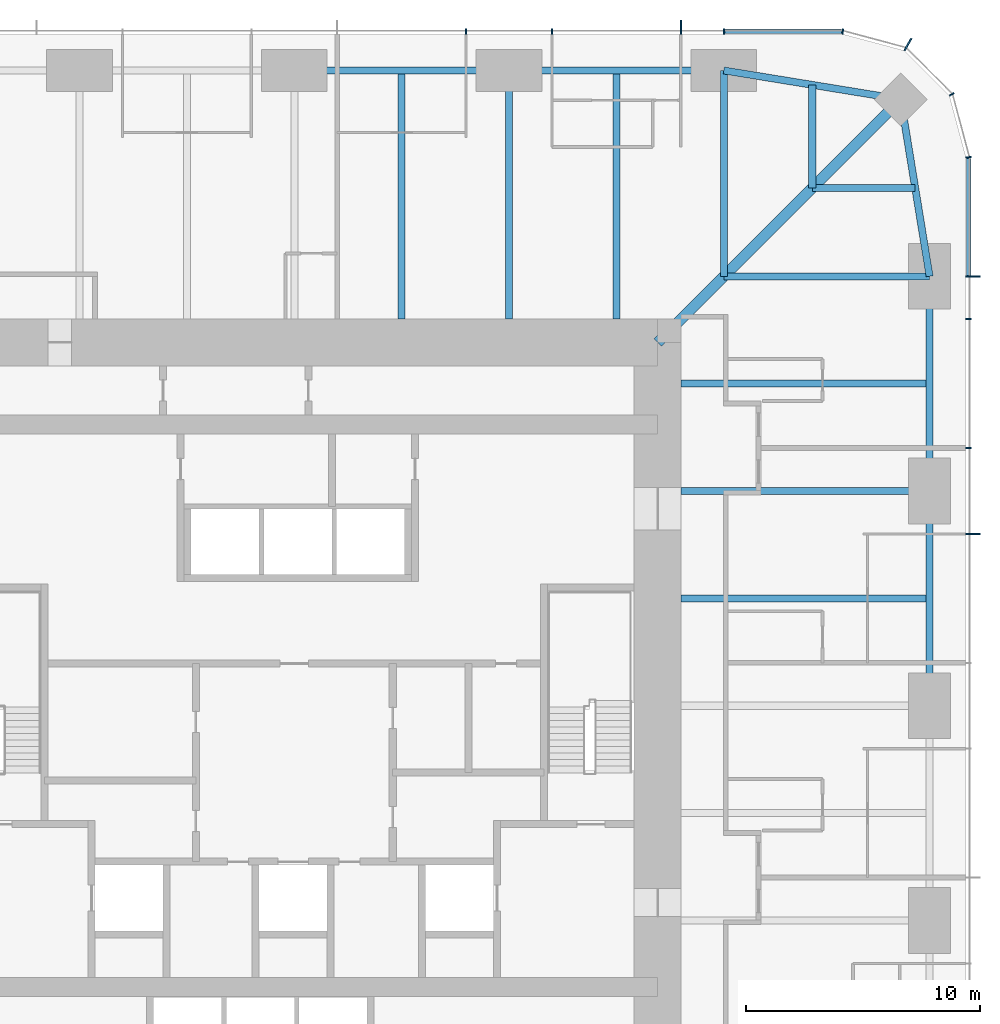
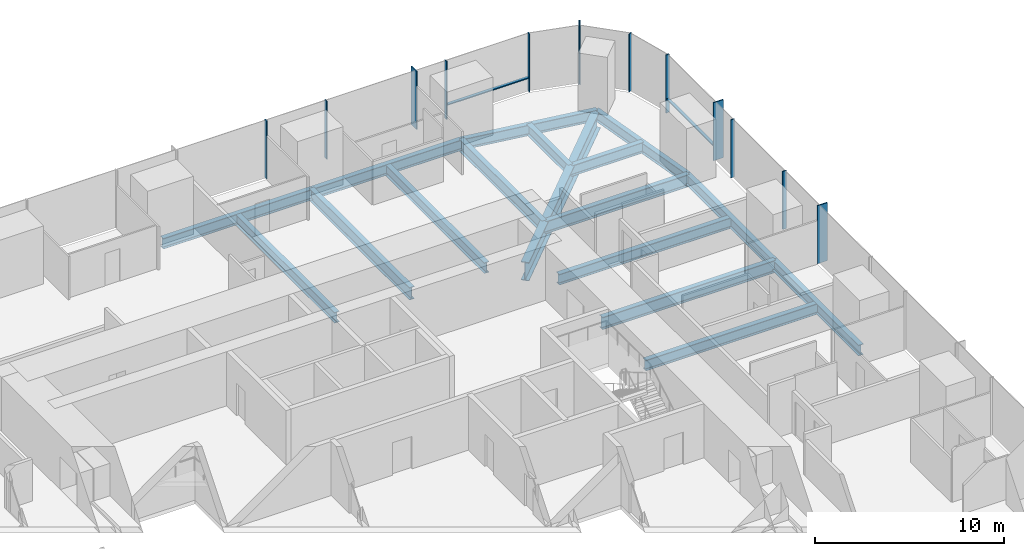
# One storey, part 6 of 13: 17 beams, 14 members, 3 elements without a shape of their own.
"""IFC4 building model written with IfcOpenShell, lengths in metres."""

from ifc_helpers import new_model, si_unit, direction, frame, origin, origin_2d, place, context, subcontext, project, spatial, rectangle, i_section, extrude, material, material_profile, profile_set, type_object, element, aggregate, save


model = new_model("IFC4")

# Units and contexts
model_context = context("Model", 3, precision=1e-05, world=origin(), true_north=direction((0.0, 1.0)))
body_context = subcontext(model_context, "Body", "Model", "MODEL_VIEW")
ifc_project = project(units=[si_unit("LENGTHUNIT", "METRE"), si_unit("AREAUNIT", "SQUARE_METRE"), si_unit("VOLUMEUNIT", "CUBIC_METRE"), si_unit("PLANEANGLEUNIT", "RADIAN"), si_unit("MASSUNIT", "GRAM", prefix="KILO")], contexts=[model_context])

# Site, building, storey
site_placement = place(None, origin())
site = spatial("IfcSite", under=ifc_project, at=site_placement, CompositionType="ELEMENT")
building_placement = place(site_placement, origin())
building = spatial("IfcBuilding", under=site, at=building_placement, Name="Khuree Lantern Residences", CompositionType="ELEMENT")
storey_placement = place(building_placement, frame((0.0, 0.0, 141.0)))
storey = spatial("IfcBuildingStorey", under=building, at=storey_placement, Name="L35", CompositionType="ELEMENT", Elevation=141.0)

# Beams
ifc_material_1 = material(Name="Steel S355", Category="steel")
ifc_material_profile_1 = material_profile(ifc_material_1, i_section(OverallWidth=0.300048828125, OverallDepth=0.68994140625, WebThickness=0.014404296875, FlangeThickness=0.027099609375, FilletRadius=0.027099609375, at=origin_2d()), Name="HE 700 A")
ifc_profile_set_1 = profile_set([ifc_material_profile_1], Name="Steel S355")
beam_type_1 = type_object("IfcBeamType", Name="B-23 SECONDARY BEAM HE 700 A", PredefinedType="BEAM", material=ifc_profile_set_1)
for number, where, z_axis, x_axis, name in (
    (1, (4.580078125, 27.10009765625, -0.594970703125), (0.0, -1.0, 0.0), (1.0, 0.0, 0.0), "Secondary beam N3"),
    (2, (13.739990234375, 27.10009765625, -0.594970703125), (0.0, -1.0, 0.0), (1.0, 0.0, 0.0), "Secondary beam N4"),
):
    element("IfcBeam", number, at=place(storey_placement, frame(where, z_axis=z_axis, x_axis=x_axis)), inside=storey, type_object=beam_type_1, Name=name, PredefinedType="BEAM", context=body_context, shape_type="SweptSolid", body=[
        extrude(i_section(OverallWidth=0.300048828125, OverallDepth=0.68994140625, WebThickness=0.014404296875, FlangeThickness=0.027099609375, FilletRadius=0.027099609375, at=origin_2d()), origin(), (0.0, 0.0, 1.0), 10.60009765625),
    ])
for number, where, z_axis, x_axis, name in (
    (3, (22.094970703125, 26.48486328125, -0.594970703125), (0.0, -1.0, 0.0), (1.0, 0.0, 0.0), "Secondary beam N5"),
    (4, (26.48486328125, 22.094970703125, -0.594970703125), (-1.0, 0.0, 0.0), (0.0, -1.0, 0.0), "Secondary beam E1"),
):
    element("IfcBeam", number, at=place(storey_placement, frame(where, z_axis=z_axis, x_axis=x_axis)), inside=storey, type_object=beam_type_1, Name=name, PredefinedType="BEAM", context=body_context, shape_type="SweptSolid", body=[
        extrude(i_section(OverallWidth=0.300048828125, OverallDepth=0.68994140625, WebThickness=0.014404296875, FlangeThickness=0.027099609375, FilletRadius=0.027099609375, at=origin_2d()), origin(), (0.0, 0.0, 1.0), 4.389892578125),
    ])
for number, where, z_axis, x_axis, name in (
    (5, (27.10009765625, 13.739990234375, -0.594970703125), (-1.0, 0.0, 0.0), (0.0, -1.0, 0.0), "Secondary beam E2"),
    (6, (27.10009765625, 4.580078125, -0.594970703125), (-1.0, 0.0, 0.0), (0.0, -1.0, 0.0), "Secondary beam E3"),
):
    element("IfcBeam", number, at=place(storey_placement, frame(where, z_axis=z_axis, x_axis=x_axis)), inside=storey, type_object=beam_type_1, Name=name, PredefinedType="BEAM", context=body_context, shape_type="SweptSolid", body=[
        extrude(i_section(OverallWidth=0.300048828125, OverallDepth=0.68994140625, WebThickness=0.014404296875, FlangeThickness=0.027099609375, FilletRadius=0.027099609375, at=origin_2d()), origin(), (0.0, 0.0, 1.0), 10.60009765625),
    ])
ifc_material_profile_2 = material_profile(ifc_material_1, i_section(OverallWidth=0.300048828125, OverallDepth=0.68994140625, WebThickness=0.014404296875, FlangeThickness=0.027099609375, FilletRadius=0.027099609375, at=origin_2d()), Name="HE 700 A")
ifc_profile_set_2 = profile_set([ifc_material_profile_2], Name="Steel S355")
beam_type_2 = type_object("IfcBeamType", Name="E-23 SPANDREL BEAM HE 700 A", PredefinedType="SPANDREL", material=ifc_profile_set_2)
beam_1_placement = place(storey_placement, frame((0.0, 27.10009765625, -0.594970703125), z_axis=(1.0, 0.0, 0.0), x_axis=(0.0, 1.0, 0.0)))
element("IfcBeam", 7, at=beam_1_placement, inside=storey, type_object=beam_type_2, Name="Spandrel beam N3", PredefinedType="SPANDREL", context=body_context, shape_type="SweptSolid", body=[
    extrude(i_section(OverallWidth=0.300048828125, OverallDepth=0.68994140625, WebThickness=0.014404296875, FlangeThickness=0.027099609375, FilletRadius=0.027099609375, at=origin_2d()), origin(), (0.0, 0.0, 1.0), 9.159912109375),
])
beam_2_placement = place(storey_placement, frame((9.159912109375, 27.10009765625, -0.594970703125), z_axis=(1.0, 0.0, 0.0), x_axis=(0.0, 1.0, 0.0)))
element("IfcBeam", 8, at=beam_2_placement, inside=storey, type_object=beam_type_2, Name="Spandrel beam N4", PredefinedType="SPANDREL", context=body_context, shape_type="SweptSolid", body=[
    extrude(i_section(OverallWidth=0.300048828125, OverallDepth=0.68994140625, WebThickness=0.014404296875, FlangeThickness=0.027099609375, FilletRadius=0.027099609375, at=origin_2d()), origin(), (0.0, 0.0, 1.0), 9.16015625),
])
for number, where, z_axis, x_axis, name in (
    (9, (18.320068359375, 27.10009765625, -0.594970703125), (0.986982656839, -0.160826723833, 0.0), (0.160826723833, 0.986982656839, 0.0), "Spandrel beam N5"),
    (10, (25.869873046875, 25.869873046875, -0.594970703125), (0.160826723833, -0.986982656839, 0.0), (0.986982656839, 0.160826723833, 0.0), "Spandrel beam E1"),
):
    element("IfcBeam", number, at=place(storey_placement, frame(where, z_axis=z_axis, x_axis=x_axis)), inside=storey, type_object=beam_type_2, Name=name, PredefinedType="SPANDREL", context=body_context, shape_type="SweptSolid", body=[
        extrude(i_section(OverallWidth=0.300048828125, OverallDepth=0.68994140625, WebThickness=0.014404296875, FlangeThickness=0.027099609375, FilletRadius=0.027099609375, at=origin_2d()), origin(), (0.0, 0.0, 1.0), 7.6494140625),
    ])
beam_3_placement = place(storey_placement, frame((27.10009765625, 18.320068359375, -0.594970703125), z_axis=(0.0, -1.0, 0.0), x_axis=(1.0, 0.0, 0.0)))
element("IfcBeam", 11, at=beam_3_placement, inside=storey, type_object=beam_type_2, Name="Spandrel beam E2", PredefinedType="SPANDREL", context=body_context, shape_type="SweptSolid", body=[
    extrude(i_section(OverallWidth=0.300048828125, OverallDepth=0.68994140625, WebThickness=0.014404296875, FlangeThickness=0.027099609375, FilletRadius=0.027099609375, at=origin_2d()), origin(), (0.0, 0.0, 1.0), 9.16015625),
])
beam_4_placement = place(storey_placement, frame((27.10009765625, 9.159912109375, -0.594970703125), z_axis=(0.0, -1.0, 0.0), x_axis=(1.0, 0.0, 0.0)))
element("IfcBeam", 12, at=beam_4_placement, inside=storey, type_object=beam_type_2, Name="Spandrel beam E3", PredefinedType="SPANDREL", context=body_context, shape_type="SweptSolid", body=[
    extrude(i_section(OverallWidth=0.300048828125, OverallDepth=0.68994140625, WebThickness=0.014404296875, FlangeThickness=0.027099609375, FilletRadius=0.027099609375, at=origin_2d()), origin(), (0.0, 0.0, 1.0), 9.159912109375),
])

# Curtain wall, members
ifc_material_2 = material(Name="Bronze anodised aluminium", Category="aluminium")
curtain_wall_type_1 = type_object("IfcCurtainWallType", Name="CW-T1 TOWER FACE CURTAIN WALL", PredefinedType="USERDEFINED", material=ifc_material_2)
curtain_wall_1_placement = place(storey_placement, origin())
curtain_wall_1 = element("IfcCurtainWall", 13, at=curtain_wall_1_placement, inside=storey, type_object=curtain_wall_type_1, Name="L35 EAST FACE CURTAIN WALL", ObjectType="Stick-built curtain wall", PredefinedType="USERDEFINED")
ifc_material_profile_3 = material_profile(ifc_material_2, rectangle(XDim=0.06494140625, YDim=0.60009765625, at=origin_2d()), Name="F1 65X600")
ifc_profile_set_3 = profile_set([ifc_material_profile_3], Name="Bronze anodised aluminium")
member_type_1 = type_object("IfcMemberType", Name="F1 BRONZE FIN MULLION TOWER 65X600", PredefinedType="MULLION", material=ifc_profile_set_3)
member_1_placement = place(storey_placement, frame((28.949951171875, 7.327880859375, 0.0), z_axis=(0.0, 0.0, 1.0), x_axis=(0.0, 1.0, 0.0)))
member_1 = element("IfcMember", 14, at=member_1_placement, type_object=member_type_1, Name="L35 EAST FACE FIN MULLION 11", PredefinedType="MULLION", context=body_context, shape_type="SweptSolid", body=[
    extrude(rectangle(XDim=0.06494140625, YDim=0.60009765625, at=origin_2d()), origin(), (0.0, 0.0, 1.0), 3.75),
])
member_2_placement = place(storey_placement, frame((28.949951171875, 18.320068359375, 0.0), z_axis=(0.0, 0.0, 1.0), x_axis=(0.0, 1.0, 0.0)))
member_2 = element("IfcMember", 15, at=member_2_placement, type_object=member_type_1, Name="L35 EAST FACE FIN MULLION 14", PredefinedType="MULLION", context=body_context, shape_type="SweptSolid", body=[
    extrude(rectangle(XDim=0.06494140625, YDim=0.60009765625, at=origin_2d()), origin(), (0.0, 0.0, 1.0), 3.75),
])

# Curtain wall, member
curtain_wall_type_2 = type_object("IfcCurtainWallType", Name="CW-T2 TOWER CORNER CURTAIN WALL", PredefinedType="USERDEFINED", material=ifc_material_2)
curtain_wall_2_placement = place(storey_placement, origin())
curtain_wall_2 = element("IfcCurtainWall", 16, at=curtain_wall_2_placement, inside=storey, type_object=curtain_wall_type_2, Name="L35 NORTH-EAST CORNER CURTAIN WALL", ObjectType="Faceted corner curtain wall", PredefinedType="USERDEFINED")
member_3_placement = place(storey_placement, frame((26.175048828125, 28.20654296875, 0.0), z_axis=(0.0, 0.0, 1.0), x_axis=(-0.866025388199, 0.500000026995, 0.0)))
member_3 = element("IfcMember", 17, at=member_3_placement, type_object=member_type_1, Name="L35 NORTH-EAST CORNER FIN MULLION 17", PredefinedType="MULLION", context=body_context, shape_type="SweptSolid", body=[
    extrude(rectangle(XDim=0.06494140625, YDim=0.60009765625, at=origin_2d()), origin(), (0.0, 0.0, 1.0), 3.75),
])

curtain_wall_3_placement = place(storey_placement, origin())
curtain_wall_3 = element("IfcCurtainWall", 18, at=curtain_wall_3_placement, inside=storey, type_object=curtain_wall_type_1, Name="L35 NORTH FACE CURTAIN WALL", ObjectType="Stick-built curtain wall", PredefinedType="USERDEFINED")
member_4_placement = place(storey_placement, frame((16.488037109375, 28.949951171875, 0.0), z_axis=(0.0, 0.0, 1.0), x_axis=(-1.0, 0.0, 0.0)))
member_4 = element("IfcMember", 19, at=member_4_placement, type_object=member_type_1, Name="L35 NORTH FACE FIN MULLION 20", PredefinedType="MULLION", context=body_context, shape_type="SweptSolid", body=[
    extrude(rectangle(XDim=0.06494140625, YDim=0.60009765625, at=origin_2d()), origin(), (0.0, 0.0, 1.0), 3.75),
])

# Beams
ifc_material_profile_4 = material_profile(ifc_material_1, i_section(OverallWidth=0.300048828125, OverallDepth=0.800048828125, WebThickness=0.017578125, FlangeThickness=0.032958984375, FilletRadius=0.030029296875, at=origin_2d()), Name="HE 800 B")
ifc_profile_set_4 = profile_set([ifc_material_profile_4], Name="Steel S355")
beam_type_3 = type_object("IfcBeamType", Name="G-23 GIRDER HE 800 B", PredefinedType="BEAM", material=ifc_profile_set_4)
beam_5_placement = place(storey_placement, frame((9.159912109375, 27.10009765625, -0.64990234375), z_axis=(0.0, -1.0, 0.0), x_axis=(1.0, 0.0, 0.0)))
element("IfcBeam", 20, at=beam_5_placement, inside=storey, type_object=beam_type_3, Name="Girder N4", PredefinedType="BEAM", context=body_context, shape_type="SweptSolid", body=[
    extrude(i_section(OverallWidth=0.300048828125, OverallDepth=0.800048828125, WebThickness=0.017578125, FlangeThickness=0.032958984375, FilletRadius=0.030029296875, at=origin_2d()), origin(), (0.0, 0.0, 1.0), 10.60009765625),
])
for number, where, z_axis, x_axis, name in (
    (21, (18.320068359375, 27.10009765625, -0.64990234375), (0.0, -1.0, 0.0), (1.0, 0.0, 0.0), "Girder N5"),
    (22, (27.10009765625, 18.320068359375, -0.64990234375), (-1.0, 0.0, 0.0), (0.0, -1.0, 0.0), "Girder E1"),
):
    element("IfcBeam", number, at=place(storey_placement, frame(where, z_axis=z_axis, x_axis=x_axis)), inside=storey, type_object=beam_type_3, Name=name, PredefinedType="BEAM", context=body_context, shape_type="SweptSolid", body=[
        extrude(i_section(OverallWidth=0.300048828125, OverallDepth=0.800048828125, WebThickness=0.017578125, FlangeThickness=0.032958984375, FilletRadius=0.030029296875, at=origin_2d()), origin(), (0.0, 0.0, 1.0), 8.780029296875),
    ])
beam_6_placement = place(storey_placement, frame((27.10009765625, 9.159912109375, -0.64990234375), z_axis=(-1.0, 0.0, 0.0), x_axis=(0.0, -1.0, 0.0)))
element("IfcBeam", 23, at=beam_6_placement, inside=storey, type_object=beam_type_3, Name="Girder E2", PredefinedType="BEAM", context=body_context, shape_type="SweptSolid", body=[
    extrude(i_section(OverallWidth=0.300048828125, OverallDepth=0.800048828125, WebThickness=0.017578125, FlangeThickness=0.032958984375, FilletRadius=0.030029296875, at=origin_2d()), origin(), (0.0, 0.0, 1.0), 10.60009765625),
])
ifc_material_profile_5 = material_profile(ifc_material_1, i_section(OverallWidth=0.449951171875, OverallDepth=1.199951171875, WebThickness=0.02490234375, FlangeThickness=0.044921875, at=origin_2d()), Name="WELDED I 1200X450X25X45")
ifc_profile_set_5 = profile_set([ifc_material_profile_5], Name="Steel S355")
beam_type_4 = type_object("IfcBeamType", Name="GD-23 CORNER GIRDER WELDED I 1200X450X25X45", PredefinedType="BEAM", material=ifc_profile_set_5)
beam_7_placement = place(storey_placement, frame((25.869873046875, 25.869873046875, -0.85009765625), z_axis=(-0.707106781187, -0.707106781187, 0.0), x_axis=(0.707106781187, -0.707106781187, 0.0)))
element("IfcBeam", 24, at=beam_7_placement, inside=storey, type_object=beam_type_4, Name="Corner girder NE", PredefinedType="BEAM", context=body_context, shape_type="SweptSolid", body=[
    extrude(i_section(OverallWidth=0.449951171875, OverallDepth=1.199951171875, WebThickness=0.02490234375, FlangeThickness=0.044921875, at=origin_2d()), origin(), (0.0, 0.0, 1.0), 14.665283203125),
])

# Member
ifc_material_profile_6 = material_profile(ifc_material_2, rectangle(XDim=0.06494140625, YDim=0.219970703125, at=origin_2d()), Name="M1 65X220")
ifc_profile_set_6 = profile_set([ifc_material_profile_6], Name="Bronze anodised aluminium")
member_type_2 = type_object("IfcMemberType", Name="M1 BRONZE MULLION TOWER 65X220", PredefinedType="MULLION", material=ifc_profile_set_6)
member_5_placement = place(storey_placement, frame((28.760009765625, 10.991943359375, 0.0), z_axis=(0.0, 0.0, 1.0), x_axis=(0.0, 1.0, 0.0)))
member_5 = element("IfcMember", 25, at=member_5_placement, type_object=member_type_2, Name="L35 EAST FACE MULLION 12", PredefinedType="MULLION", context=body_context, shape_type="SweptSolid", body=[
    extrude(rectangle(XDim=0.06494140625, YDim=0.219970703125, at=origin_2d()), origin(), (0.0, 0.0, 1.0), 3.75),
])

member_6_placement = place(storey_placement, frame((28.760009765625, 16.488037109375, 0.0), z_axis=(0.0, 0.0, 1.0), x_axis=(0.0, 1.0, 0.0)))
member_6 = element("IfcMember", 26, at=member_6_placement, type_object=member_type_2, Name="L35 EAST FACE MULLION 13", PredefinedType="MULLION", context=body_context, shape_type="SweptSolid", body=[
    extrude(rectangle(XDim=0.06494140625, YDim=0.219970703125, at=origin_2d()), origin(), (0.0, 0.0, 1.0), 3.75),
])

member_7_placement = place(storey_placement, frame((28.76171875, 23.39501953125, 0.0), z_axis=(0.0, 0.0, 1.0), x_axis=(-0.130526223125, 0.991444857305, 0.0)))
member_7 = element("IfcMember", 27, at=member_7_placement, type_object=member_type_2, Name="L35 NORTH-EAST CORNER MULLION 15", PredefinedType="MULLION", context=body_context, shape_type="SweptSolid", body=[
    extrude(rectangle(XDim=0.06494140625, YDim=0.219970703125, at=origin_2d()), origin(), (0.0, 0.0, 1.0), 3.75),
])

member_8_placement = place(storey_placement, frame((28.0419921875, 26.080078125, 0.0), z_axis=(0.0, 0.0, 1.0), x_axis=(-0.500000026995, 0.866025388199, 0.0)))
member_8 = element("IfcMember", 28, at=member_8_placement, type_object=member_type_2, Name="L35 NORTH-EAST CORNER MULLION 16", PredefinedType="MULLION", context=body_context, shape_type="SweptSolid", body=[
    extrude(rectangle(XDim=0.06494140625, YDim=0.219970703125, at=origin_2d()), origin(), (0.0, 0.0, 1.0), 3.75),
])

aggregate(curtain_wall_2, [member_7, member_8, member_3])

member_9_placement = place(storey_placement, frame((23.39501953125, 28.76171875, 0.0), z_axis=(0.0, 0.0, 1.0), x_axis=(-0.991444857305, 0.130526223125, 0.0)))
member_9 = element("IfcMember", 29, at=member_9_placement, type_object=member_type_2, Name="L35 NORTH FACE MULLION 18", PredefinedType="MULLION", context=body_context, shape_type="SweptSolid", body=[
    extrude(rectangle(XDim=0.06494140625, YDim=0.219970703125, at=origin_2d()), origin(), (0.0, 0.0, 1.0), 3.75),
])

member_10_placement = place(storey_placement, frame((18.320068359375, 28.760009765625, 0.0), z_axis=(0.0, 0.0, 1.0), x_axis=(-1.0, 0.0, 0.0)))
member_10 = element("IfcMember", 30, at=member_10_placement, type_object=member_type_2, Name="L35 NORTH FACE MULLION 19", PredefinedType="MULLION", context=body_context, shape_type="SweptSolid", body=[
    extrude(rectangle(XDim=0.06494140625, YDim=0.219970703125, at=origin_2d()), origin(), (0.0, 0.0, 1.0), 3.75),
])

member_11_placement = place(storey_placement, frame((10.991943359375, 28.760009765625, 0.0), z_axis=(0.0, 0.0, 1.0), x_axis=(-1.0, 0.0, 0.0)))
member_11 = element("IfcMember", 31, at=member_11_placement, type_object=member_type_2, Name="L35 NORTH FACE MULLION 21", PredefinedType="MULLION", context=body_context, shape_type="SweptSolid", body=[
    extrude(rectangle(XDim=0.06494140625, YDim=0.219970703125, at=origin_2d()), origin(), (0.0, 0.0, 1.0), 3.75),
])

member_12_placement = place(storey_placement, frame((7.327880859375, 28.760009765625, 0.0), z_axis=(0.0, 0.0, 1.0), x_axis=(-1.0, 0.0, 0.0)))
member_12 = element("IfcMember", 32, at=member_12_placement, type_object=member_type_2, Name="L35 NORTH FACE MULLION 22", PredefinedType="MULLION", context=body_context, shape_type="SweptSolid", body=[
    extrude(rectangle(XDim=0.06494140625, YDim=0.219970703125, at=origin_2d()), origin(), (0.0, 0.0, 1.0), 3.75),
])

ifc_material_profile_7 = material_profile(ifc_material_2, rectangle(XDim=0.179931640625, YDim=0.06494140625, at=origin_2d()), Name="T1 180X65")
ifc_profile_set_7 = profile_set([ifc_material_profile_7], Name="Bronze anodised aluminium")
member_type_3 = type_object("IfcMemberType", Name="TRANSOM T1 TOWER 180X65", PredefinedType="USERDEFINED", material=ifc_profile_set_7)
member_13_placement = place(storey_placement, frame((28.77001953125, 18.3525390625, 0.89990234375), z_axis=(0.0, 1.0, 0.0), x_axis=(-1.0, 0.0, 0.0)))
member_13 = element("IfcMember", 33, at=member_13_placement, type_object=member_type_3, Name="L35 EAST FACE TRANSOM 14.1", ObjectType="Transom", PredefinedType="USERDEFINED", context=body_context, shape_type="SweptSolid", body=[
    extrude(rectangle(XDim=0.179931640625, YDim=0.06494140625, at=origin_2d()), origin(), (0.0, 0.0, 1.0), 4.998779296875),
])

aggregate(curtain_wall_1, [member_1, member_5, member_6, member_2, member_13])

member_14_placement = place(storey_placement, frame((23.351318359375, 28.77001953125, 0.89990234375), z_axis=(-1.0, 0.0, 0.0), x_axis=(0.0, -1.0, 0.0)))
member_14 = element("IfcMember", 34, at=member_14_placement, type_object=member_type_3, Name="L35 NORTH FACE TRANSOM 18.1", ObjectType="Transom", PredefinedType="USERDEFINED", context=body_context, shape_type="SweptSolid", body=[
    extrude(rectangle(XDim=0.179931640625, YDim=0.06494140625, at=origin_2d()), origin(), (0.0, 0.0, 1.0), 4.998779296875),
])

aggregate(curtain_wall_3, [member_9, member_10, member_4, member_11, member_12, member_14])

save(model, "model.ifc")
